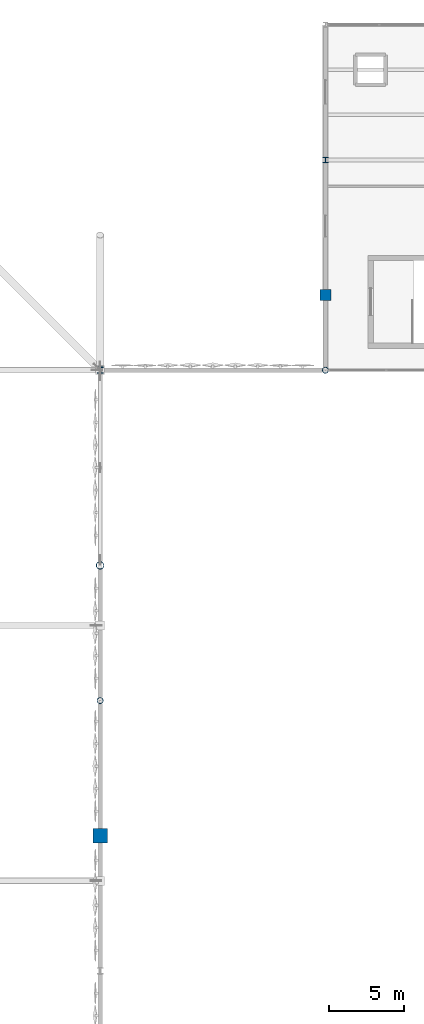
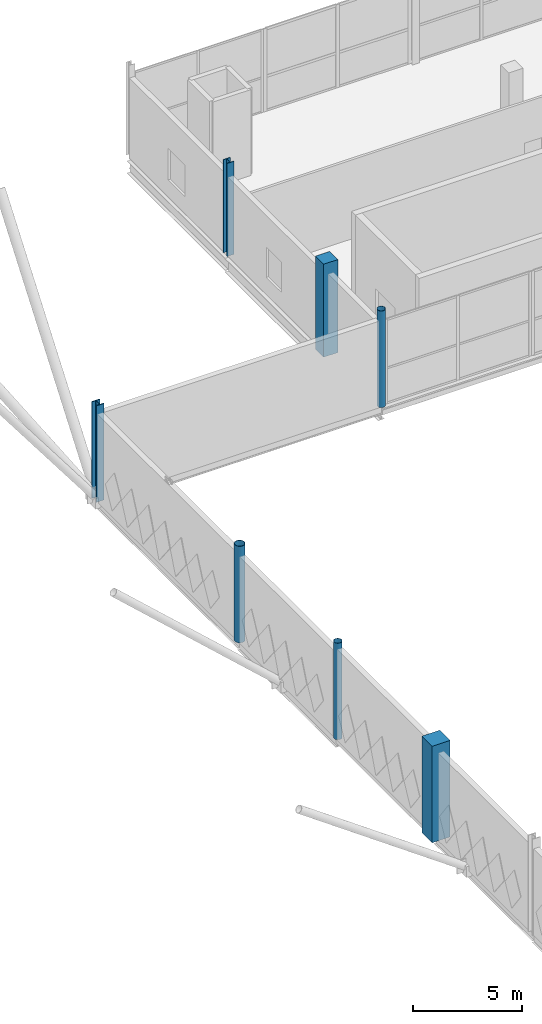
# One storey, part 6 of 119: 7 columns.
"""IFC4 building model written with IfcOpenShell, lengths in metres."""

from ifc_helpers import new_model, si_unit, direction, frame, origin, origin_2d, place, context, subcontext, project, spatial, rectangle, hollow_circle, i_section, extrude, material, material_profile, profile_set, type_object, element, save


model = new_model("IFC4")

# Units and contexts
model_context = context("Model", 3, precision=1e-05, world=origin(), true_north=direction((0.0, 1.0)))
body_context = subcontext(model_context, "Body", "Model", "MODEL_VIEW")
ifc_project = project(units=[si_unit("LENGTHUNIT", "METRE"), si_unit("AREAUNIT", "SQUARE_METRE"), si_unit("VOLUMEUNIT", "CUBIC_METRE"), si_unit("PLANEANGLEUNIT", "RADIAN"), si_unit("MASSUNIT", "GRAM", prefix="KILO")], contexts=[model_context])

# Site, building, storey
site_placement = place(None, origin())
site = spatial("IfcSite", under=ifc_project, at=site_placement, CompositionType="ELEMENT")
building_placement = place(site_placement, origin())
building = spatial("IfcBuilding", under=site, at=building_placement, Name="Qamarlyn Nura Convention Centre", CompositionType="ELEMENT")
storey_placement = place(building_placement, frame((0.0, 0.0, 5.39990234375)))
storey = spatial("IfcBuildingStorey", under=building, at=storey_placement, Name="L01", CompositionType="ELEMENT", Elevation=5.39990234375)

# Columns
ifc_material_1 = material(Name="Pearl-white PVDF steel ASTM A500 Grade C", Category="steel")
ifc_material_profile_1 = material_profile(ifc_material_1, hollow_circle(Radius=0.25390625, WallThickness=0.02001953125, at=origin_2d()), Name="CHS508X20")
ifc_profile_set_1 = profile_set([ifc_material_profile_1], Name="Pearl-white PVDF steel ASTM A500 Grade C")
column_type_1 = type_object("IfcColumnType", Name="COL-HALL-1", PredefinedType="COLUMN", material=ifc_profile_set_1)
column_1_placement = place(storey_placement, frame((0.0, 90.0, 0.0), z_axis=(0.0, 0.0, 1.0), x_axis=(1.0, 0.0, 0.0)))
element("IfcColumn", 1, at=column_1_placement, inside=storey, type_object=column_type_1, Name="L01 column 1/L", PredefinedType="COLUMN", context=body_context, shape_type="SweptSolid", body=[
    extrude(hollow_circle(Radius=0.25390625, WallThickness=0.02001953125, at=origin_2d()), origin(), (0.0, 0.0, 1.0), 5.400146484375),
])
ifc_material_2 = material(Name="Concrete C50/60", Category="concrete")
ifc_material_profile_2 = material_profile(ifc_material_2, rectangle(XDim=0.949951171875, YDim=0.949951171875, at=origin_2d()), Name="RC 950x950")
ifc_profile_set_2 = profile_set([ifc_material_profile_2], Name="Concrete C50/60")
column_type_2 = type_object("IfcColumnType", Name="COL-HALL-2", PredefinedType="COLUMN", material=ifc_profile_set_2)
column_2_placement = place(storey_placement, frame((0.0, 72.0, 0.0), z_axis=(0.0, 0.0, 1.0), x_axis=(1.0, 0.0, 0.0)))
element("IfcColumn", 2, at=column_2_placement, inside=storey, type_object=column_type_2, Name="L01 column 1/J", PredefinedType="COLUMN", context=body_context, shape_type="SweptSolid", body=[
    extrude(rectangle(XDim=0.949951171875, YDim=0.949951171875, at=origin_2d()), origin(), (0.0, 0.0, 1.0), 5.400146484375),
])
ifc_material_3 = material(Name="Steel ASTM A992", Category="steel")
ifc_material_profile_3 = material_profile(ifc_material_3, i_section(OverallWidth=0.408935546875, OverallDepth=0.425048828125, WebThickness=0.030517578125, FlangeThickness=0.049072265625, FilletRadius=0.02001953125, at=origin_2d()), Name="W360X421")
ifc_profile_set_3 = profile_set([ifc_material_profile_3], Name="Steel ASTM A992")
column_type_3 = type_object("IfcColumnType", Name="COL-MEGA-1", PredefinedType="COLUMN", material=ifc_profile_set_3)
column_3_placement = place(storey_placement, frame((0.0, 103.0, 0.0), z_axis=(0.0, 0.0, 1.0), x_axis=(1.0, 0.0, 0.0)))
element("IfcColumn", 3, at=column_3_placement, inside=storey, type_object=column_type_3, Name="L01 column 1/M", PredefinedType="COLUMN", context=body_context, shape_type="SweptSolid", body=[
    extrude(i_section(OverallWidth=0.408935546875, OverallDepth=0.425048828125, WebThickness=0.030517578125, FlangeThickness=0.049072265625, FilletRadius=0.02001953125, at=origin_2d()), origin(), (0.0, 0.0, 1.0), 5.400146484375),
])
ifc_material_profile_4 = material_profile(ifc_material_2, rectangle(XDim=0.75, YDim=0.75, at=origin_2d()), Name="RC 750x750")
ifc_profile_set_4 = profile_set([ifc_material_profile_4], Name="Concrete C50/60")
column_type_4 = type_object("IfcColumnType", Name="COL-SUB-2", PredefinedType="COLUMN", material=ifc_profile_set_4)
column_4_placement = place(storey_placement, frame((15.0, 108.0, 0.0), z_axis=(0.0, 0.0, 1.0), x_axis=(1.0, 0.0, 0.0)))
element("IfcColumn", 4, at=column_4_placement, inside=storey, type_object=column_type_4, Name="L01 column 2/N", PredefinedType="COLUMN", context=body_context, shape_type="SweptSolid", body=[
    extrude(rectangle(XDim=0.75, YDim=0.75, at=origin_2d()), origin(), (0.0, 0.0, 1.0), 5.205078125),
])
ifc_material_profile_5 = material_profile(ifc_material_1, hollow_circle(Radius=0.203125, WallThickness=0.01611328125, at=origin_2d()), Name="CHS406.4X16")
ifc_profile_set_5 = profile_set([ifc_material_profile_5], Name="Pearl-white PVDF steel ASTM A500 Grade C")
column_type_5 = type_object("IfcColumnType", Name="COL-TUBE-1", PredefinedType="COLUMN", material=ifc_profile_set_5)
for number, where, z_axis, x_axis, name in (
    (5, (0.0, 81.0, 0.0), (0.0, 0.0, 1.0), (1.0, 0.0, 0.0), "L01 column 1/K"),
    (6, (15.0, 103.0, 0.0), (0.0, 0.0, 1.0), (1.0, 0.0, 0.0), "L01 column 2/M"),
):
    element("IfcColumn", number, at=place(storey_placement, frame(where, z_axis=z_axis, x_axis=x_axis)), inside=storey, type_object=column_type_5, Name=name, PredefinedType="COLUMN", context=body_context, shape_type="SweptSolid", body=[
        extrude(hollow_circle(Radius=0.203125, WallThickness=0.01611328125, at=origin_2d()), origin(), (0.0, 0.0, 1.0), 5.400146484375),
    ])
ifc_material_profile_6 = material_profile(ifc_material_3, i_section(OverallWidth=0.3740234375, OverallDepth=0.3720703125, WebThickness=0.016357421875, FlangeThickness=0.026123046875, FilletRadius=0.01611328125, at=origin_2d()), Name="W360X196")
ifc_profile_set_6 = profile_set([ifc_material_profile_6], Name="Steel ASTM A992")
column_type_6 = type_object("IfcColumnType", Name="COL-WING-2", PredefinedType="COLUMN", material=ifc_profile_set_6)
column_5_placement = place(storey_placement, frame((15.0, 117.0, 0.0), z_axis=(0.0, 0.0, 1.0), x_axis=(1.0, 0.0, 0.0)))
element("IfcColumn", 7, at=column_5_placement, inside=storey, type_object=column_type_6, Name="L01 column 2/P", PredefinedType="COLUMN", context=body_context, shape_type="SweptSolid", body=[
    extrude(i_section(OverallWidth=0.3740234375, OverallDepth=0.3720703125, WebThickness=0.016357421875, FlangeThickness=0.026123046875, FilletRadius=0.01611328125, at=origin_2d()), origin(), (0.0, 0.0, 1.0), 5.205078125),
])

save(model, "model.ifc")
